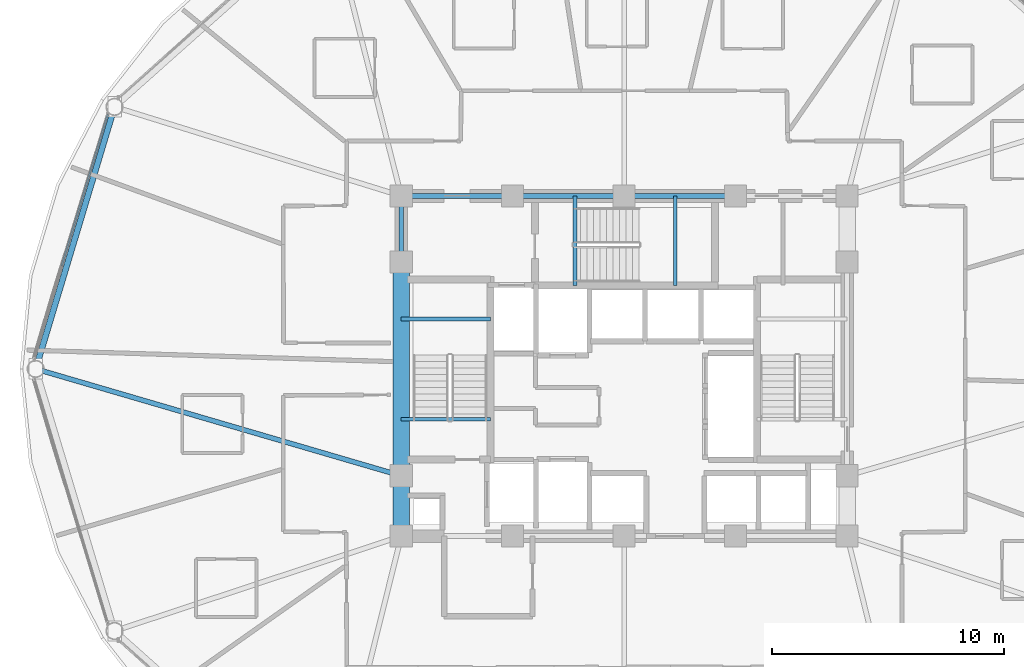
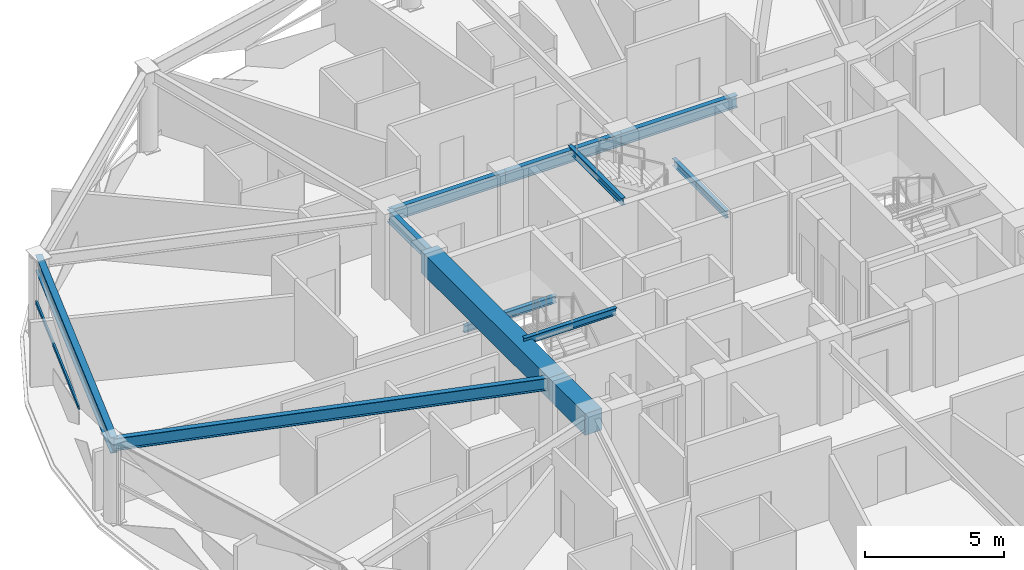
# One storey, part 8 of 31: 12 beams, 1 member, 1 element without a shape of its own.
"""IFC4 building model written with IfcOpenShell, lengths in metres."""

from ifc_helpers import new_model, si_unit, direction, frame, origin, origin_2d, place, context, subcontext, project, spatial, rectangle, hollow_rectangle, i_section, extrude, material, layer, layer_set, material_profile, profile_set, type_object, element, aggregate, save


model = new_model("IFC4")

# Units and contexts
model_context = context("Model", 3, precision=1e-05, world=origin(), true_north=direction((0.0, 1.0)))
body_context = subcontext(model_context, "Body", "Model", "MODEL_VIEW")
ifc_project = project(units=[si_unit("LENGTHUNIT", "METRE"), si_unit("AREAUNIT", "SQUARE_METRE"), si_unit("VOLUMEUNIT", "CUBIC_METRE"), si_unit("PLANEANGLEUNIT", "RADIAN"), si_unit("MASSUNIT", "GRAM", prefix="KILO")], contexts=[model_context])

# Site, building, storey
site_placement = place(None, origin())
site = spatial("IfcSite", under=ifc_project, at=site_placement, CompositionType="ELEMENT")
building_placement = place(site_placement, origin())
building = spatial("IfcBuilding", under=site, at=building_placement, Name="Vantalir Tower", CompositionType="ELEMENT")
storey_placement = place(building_placement, frame((0.0, 0.0, 115.949951171875)))
storey = spatial("IfcBuildingStorey", under=building, at=storey_placement, Name="L28", CompositionType="ELEMENT", Elevation=115.949951171875)

# Beams
ifc_material_1 = material(Name="Concrete C60/75", Category="concrete")
ifc_material_profile_1 = material_profile(ifc_material_1, rectangle(XDim=0.699951171875, YDim=0.949951171875, at=origin_2d()), Name="Concrete C60/75")
ifc_profile_set_1 = profile_set([ifc_material_profile_1], Name="Concrete C60/75")
beam_type_1 = type_object("IfcBeamType", Name="BM-CB-700x950", PredefinedType="USERDEFINED", material=ifc_profile_set_1)
beam_1_placement = place(storey_placement, frame((21.89990234375, 29.60009765625, 3.094970703125), z_axis=(0.0, -1.0, 0.0), x_axis=(1.0, 0.0, 0.0)))
element("IfcBeam", 1, at=beam_1_placement, inside=storey, type_object=beam_type_1, Name="L28 Core Coupling Girder 13", ObjectType="GIRDER", PredefinedType="USERDEFINED", context=body_context, shape_type="SweptSolid", body=[
    extrude(rectangle(XDim=0.699951171875, YDim=0.949951171875, at=origin_2d()), origin(), (0.0, 0.0, 1.0), 9.2001953125),
])
beam_2_placement = place(storey_placement, frame((21.89990234375, 20.39990234375, 3.094970703125), z_axis=(0.0, -1.0, 0.0), x_axis=(1.0, 0.0, 0.0)))
element("IfcBeam", 2, at=beam_2_placement, inside=storey, type_object=beam_type_1, Name="L28 Core Coupling Girder 14", ObjectType="GIRDER", PredefinedType="USERDEFINED", context=body_context, shape_type="SweptSolid", body=[
    extrude(rectangle(XDim=0.699951171875, YDim=0.949951171875, at=origin_2d()), origin(), (0.0, 0.0, 1.0), 2.599853515625),
])
ifc_material_2 = material(Name="Steel S355", Category="steel")
ifc_material_profile_2 = material_profile(ifc_material_2, i_section(OverallWidth=0.166015625, OverallDepth=0.306884765625, WebThickness=0.006591796875, FlangeThickness=0.01171875, at=origin_2d()), Name="Steel S355")
ifc_profile_set_2 = profile_set([ifc_material_profile_2], Name="Steel S355")
beam_type_2 = type_object("IfcBeamType", Name="BM-JS-305x165", PredefinedType="JOIST", material=ifc_profile_set_2)
for number, where, z_axis, x_axis, name in (
    (3, (21.89990234375, 22.8349609375, 3.59716796875), (1.0, 0.0, 0.0), (0.0, 1.0, 0.0), "L29 Stair ST1 Well Nosing Trimmer Beam"),
    (4, (21.89990234375, 27.14501953125, 1.52197265625), (1.0, 0.0, 0.0), (0.0, 1.0, 0.0), "L28 Stair ST1 Half-Landing Support Beam"),
):
    element("IfcBeam", number, at=place(storey_placement, frame(where, z_axis=z_axis, x_axis=x_axis)), inside=storey, type_object=beam_type_2, Name=name, PredefinedType="JOIST", context=body_context, shape_type="SweptSolid", body=[
        extrude(i_section(OverallWidth=0.166015625, OverallDepth=0.306884765625, WebThickness=0.006591796875, FlangeThickness=0.01171875, at=origin_2d()), origin(), (0.0, 0.0, 1.0), 3.840087890625),
    ])
for number, where, z_axis, x_axis, name in (
    (5, (29.385009765625, 28.60009765625, 3.59716796875), (0.0, 1.0, 0.0), (-1.0, 0.0, 0.0), "L29 Stair ST3 Well Nosing Trimmer Beam"),
    (6, (33.695068359375, 28.60009765625, 1.52197265625), (0.0, 1.0, 0.0), (-1.0, 0.0, 0.0), "L28 Stair ST3 Half-Landing Support Beam"),
):
    element("IfcBeam", number, at=place(storey_placement, frame(where, z_axis=z_axis, x_axis=x_axis)), inside=storey, type_object=beam_type_2, Name=name, PredefinedType="JOIST", context=body_context, shape_type="SweptSolid", body=[
        extrude(i_section(OverallWidth=0.166015625, OverallDepth=0.306884765625, WebThickness=0.006591796875, FlangeThickness=0.01171875, at=origin_2d()), origin(), (0.0, 0.0, 1.0), 3.849853515625),
    ])
ifc_material_profile_3 = material_profile(ifc_material_2, i_section(OverallWidth=0.2109375, OverallDepth=0.5390625, WebThickness=0.01171875, FlangeThickness=0.018798828125, at=origin_2d()), Name="Steel S355")
ifc_profile_set_3 = profile_set([ifc_material_profile_3], Name="Steel S355")
beam_type_3 = type_object("IfcBeamType", Name="BM-RB-533x210", PredefinedType="BEAM", material=ifc_profile_set_3)
for number, where, z_axis, x_axis, name in (
    (7, (36.300048828125, 32.449951171875, 3.300048828125), (-1.0, 0.0, 0.0), (0.0, -1.0, 0.0), "L28 Core Coupling Girder 09"),
    (8, (31.5, 32.449951171875, 3.300048828125), (-1.0, 0.0, 0.0), (0.0, -1.0, 0.0), "L28 Core Coupling Girder 10"),
    (9, (26.699951171875, 32.449951171875, 3.300048828125), (-1.0, 0.0, 0.0), (0.0, -1.0, 0.0), "L28 Core Coupling Girder 11"),
):
    element("IfcBeam", number, at=place(storey_placement, frame(where, z_axis=z_axis, x_axis=x_axis)), inside=storey, type_object=beam_type_3, Name=name, PredefinedType="BEAM", context=body_context, shape_type="SweptSolid", body=[
        extrude(i_section(OverallWidth=0.2109375, OverallDepth=0.5390625, WebThickness=0.01171875, FlangeThickness=0.018798828125, at=origin_2d()), origin(), (0.0, 0.0, 1.0), 4.800048828125),
    ])
beam_3_placement = place(storey_placement, frame((21.89990234375, 32.449951171875, 3.300048828125), z_axis=(0.0, -1.0, 0.0), x_axis=(1.0, 0.0, 0.0)))
element("IfcBeam", 10, at=beam_3_placement, inside=storey, type_object=beam_type_3, Name="L28 Core Coupling Girder 12", PredefinedType="BEAM", context=body_context, shape_type="SweptSolid", body=[
    extrude(i_section(OverallWidth=0.2109375, OverallDepth=0.5390625, WebThickness=0.01171875, FlangeThickness=0.018798828125, at=origin_2d()), origin(), (0.0, 0.0, 1.0), 2.849853515625),
])
beam_4_placement = place(storey_placement, frame((6.159912109375, 25.0, 3.300048828125), z_axis=(0.959847952894, -0.280520778775, 0.0), x_axis=(0.280520778775, 0.959847952894, 0.0)))
element("IfcBeam", 11, at=beam_4_placement, inside=storey, type_object=beam_type_3, Name="L28 Radial Floor Beam 07", PredefinedType="BEAM", context=body_context, shape_type="SweptSolid", body=[
    extrude(i_section(OverallWidth=0.2109375, OverallDepth=0.5390625, WebThickness=0.01171875, FlangeThickness=0.018798828125, at=origin_2d()), origin(), (0.0, 0.0, 1.0), 16.3984375),
])
ifc_material_3 = material(Name="Steel S460", Category="steel")
ifc_material_profile_4 = material_profile(ifc_material_3, i_section(OverallWidth=0.256103515625, OverallDepth=0.693115234375, WebThickness=0.014404296875, FlangeThickness=0.023681640625, at=origin_2d()), Name="Steel S460")
ifc_profile_set_4 = profile_set([ifc_material_profile_4], Name="Steel S460")
beam_type_4 = type_object("IfcBeamType", Name="BM-RG-686x254", PredefinedType="USERDEFINED", material=ifc_profile_set_4)
beam_5_placement = place(storey_placement, frame((9.554931640625, 36.282958984375, 3.22314453125), z_axis=(-0.288136680777, -0.957589292542, 0.0), x_axis=(0.957589292542, -0.288136680777, 0.0)))
element("IfcBeam", 12, at=beam_5_placement, inside=storey, type_object=beam_type_4, Name="L28 Circumferential Ring Girder 06", ObjectType="GIRDER", PredefinedType="USERDEFINED", context=body_context, shape_type="SweptSolid", body=[
    extrude(i_section(OverallWidth=0.256103515625, OverallDepth=0.693115234375, WebThickness=0.014404296875, FlangeThickness=0.023681640625, at=origin_2d()), origin(), (0.0, 0.0, 1.0), 11.78271484375),
])

# Curtain wall, member
ifc_material_4 = material(Name="Champagne-silver PVDF aluminium and double-silver Low-E glass", Category="aluminium")
ifc_layer = layer(ifc_material_4, 0.199951171875)
ifc_layer_set = layer_set([ifc_layer], Name="Champagne-silver PVDF aluminium and double-silver Low-E glass")
curtain_wall_type = type_object("IfcCurtainWallType", Name="CW-DIAMOND-Z2", PredefinedType="USERDEFINED", material=ifc_layer_set)
curtain_wall_placement = place(storey_placement, origin())
curtain_wall = element("IfcCurtainWall", 13, at=curtain_wall_placement, inside=storey, type_object=curtain_wall_type, Name="L28 Quilted Pyramid-Diamond Curtain Wall S06", ObjectType="UNITISED CURTAIN WALL", PredefinedType="USERDEFINED")
ifc_material_5 = material(Name="Champagne-silver PVDF aluminium 6063-T6", Category="aluminium")
ifc_material_profile_5 = material_profile(ifc_material_5, hollow_rectangle(XDim=0.074951171875, YDim=0.159912109375, WallThickness=0.00390625, at=origin_2d()), Name="Champagne-silver PVDF aluminium 6063-T6")
ifc_profile_set_5 = profile_set([ifc_material_profile_5], Name="Champagne-silver PVDF aluminium 6063-T6")
member_type = type_object("IfcMemberType", Name="CWT-160x75", PredefinedType="USERDEFINED", material=ifc_profile_set_5)
member_placement = place(storey_placement, frame((9.262939453125, 35.95703125, 1.78515625), z_axis=(-0.291195784047, -0.956663480725, 0.0), x_axis=(0.956663480725, -0.291195784047, 0.0)))
member = element("IfcMember", 14, at=member_placement, type_object=member_type, Name="CW-L28-S06 Pyramid Fold Ridge Transom", ObjectType="TRANSOM", PredefinedType="USERDEFINED", context=body_context, shape_type="SweptSolid", body=[
    extrude(hollow_rectangle(XDim=0.074951171875, YDim=0.159912109375, WallThickness=0.00390625, at=origin_2d()), origin(), (0.0, 0.0, 1.0), 6.82373046875),
])
aggregate(curtain_wall, [member])

save(model, "model.ifc")
